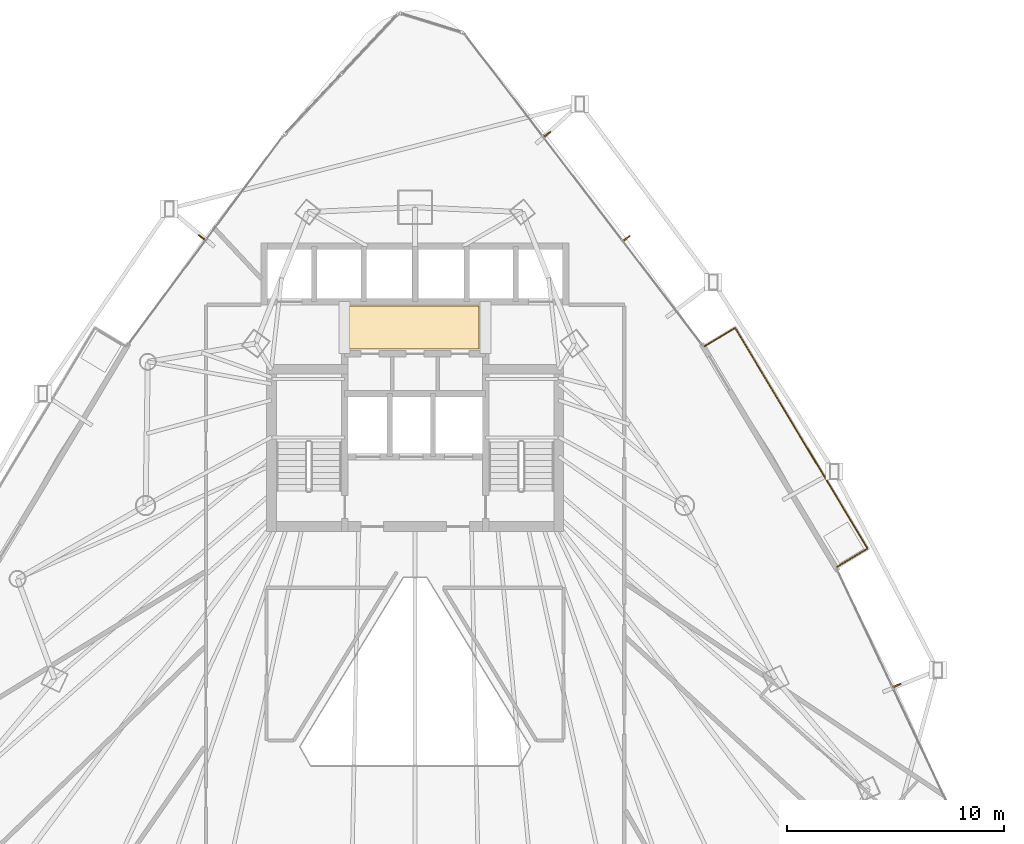
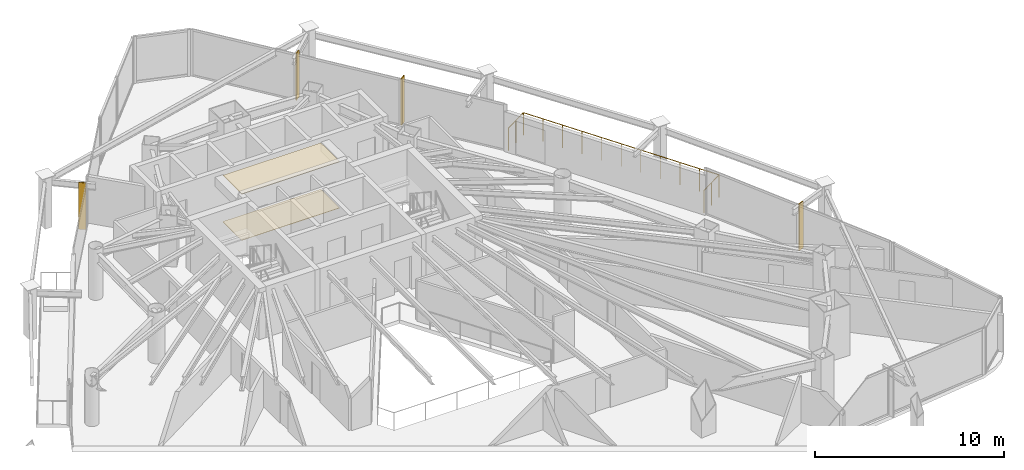
# One storey, part 33 of 33: 4 shading devices, 2 coverings, 1 railing.
"""IFC4 building model written with IfcOpenShell, lengths in metres."""

from ifc_helpers import new_model, si_unit, direction, frame, origin, origin_2d, place, context, subcontext, project, spatial, polyline, rectangle, circle, outline, extrude, material, layer, layer_set, type_object, element, save


model = new_model("IFC4")

# Units and contexts
model_context = context("Model", 3, precision=1e-05, world=origin(), true_north=direction((0.0, 1.0)))
body_context = subcontext(model_context, "Body", "Model", "MODEL_VIEW")
ifc_project = project(units=[si_unit("LENGTHUNIT", "METRE"), si_unit("AREAUNIT", "SQUARE_METRE"), si_unit("VOLUMEUNIT", "CUBIC_METRE"), si_unit("PLANEANGLEUNIT", "RADIAN"), si_unit("MASSUNIT", "GRAM", prefix="KILO")], contexts=[model_context])

# Site, building, storey
site_placement = place(None, origin())
site = spatial("IfcSite", under=ifc_project, at=site_placement, CompositionType="ELEMENT")
building_placement = place(site_placement, origin())
building = spatial("IfcBuilding", under=site, at=building_placement, Name="Orvanel Arch Residences", CompositionType="ELEMENT")
storey_placement = place(building_placement, frame((0.0, 0.0, 93.949951171875)))
storey = spatial("IfcBuildingStorey", under=building, at=storey_placement, Name="L26", CompositionType="ELEMENT", Elevation=93.949951171875)

# Coverings
ifc_material_1 = material(Name="Perforated acoustic mineral-fibre ceiling tile", Category="gypsum")
ifc_layer_1 = layer(ifc_material_1, 0.034912109375)
ifc_layer_set_1 = layer_set([ifc_layer_1], Name="Perforated acoustic mineral-fibre ceiling tile")
covering_type_1 = type_object("IfcCoveringType", Name="COV-CLG-ACS35", PredefinedType="CEILING", material=ifc_layer_set_1)
covering_1_placement = place(storey_placement, frame((0.0, 0.0, 2.985107421875)))
element("IfcCovering", 1, at=covering_1_placement, inside=storey, type_object=covering_type_1, Name="L26 Lift Lobby Acoustic Ceiling", PredefinedType="CEILING", context=body_context, shape_type="SweptSolid", body=[
    extrude(outline(polyline([(29.949951171875, 34.85009765625), (35.949951171875, 34.85009765625), (35.949951171875, 36.85009765625), (29.949951171875, 36.85009765625), (29.949951171875, 34.85009765625)])), origin(), (0.0, 0.0, 1.0), 0.034912109375),
])
ifc_material_2 = material(Name="Honed cementitious terrazzo floor finish", Category="concrete")
ifc_layer_2 = layer(ifc_material_2, 0.02490234375)
ifc_layer_set_2 = layer_set([ifc_layer_2], Name="Honed cementitious terrazzo floor finish")
covering_type_2 = type_object("IfcCoveringType", Name="COV-FLR-TRZ25", PredefinedType="FLOORING", material=ifc_layer_set_2)
covering_2_placement = place(storey_placement, origin())
element("IfcCovering", 2, at=covering_2_placement, inside=storey, type_object=covering_type_2, Name="L26 Lift Lobby Terrazzo Flooring", PredefinedType="FLOORING", context=body_context, shape_type="SweptSolid", body=[
    extrude(outline(polyline([(29.949951171875, 34.85009765625), (35.949951171875, 34.85009765625), (35.949951171875, 36.85009765625), (29.949951171875, 36.85009765625), (29.949951171875, 34.85009765625)])), origin(), (0.0, 0.0, 1.0), 0.025146484375),
])

# Shading devices
ifc_material_3 = material(Name="Bronze-anodised aluminium AA6063-T6", Category="aluminium")
ifc_layer_3 = layer(ifc_material_3, 0.06005859375)
ifc_layer_set_3 = layer_set([ifc_layer_3], Name="Bronze-anodised aluminium AA6063-T6")
shading_device_type = type_object("IfcShadingDeviceType", Name="FIN-BRZ-380", PredefinedType="USERDEFINED", material=ifc_layer_set_3)
for number, where, z_axis, x_axis, name in (
    (3, (23.1630859375, 40.0029296875, 0.0), (0.0, 0.0, 1.0), (-0.802817475191, 0.596224874966, 0.0), "L26 Anodised Bronze Mullion FIN 01"),
    (4, (55.23095703125, 19.342041015625, 0.0), (0.0, 0.0, 1.0), (0.904082549661, 0.427357863387, 0.0), "L26 Anodised Bronze Mullion FIN 01"),
    (5, (42.760009765625, 39.968017578125, 0.0), (0.0, 0.0, 1.0), (0.794414620535, 0.607375839723, 0.0), "L26 Anodised Bronze Mullion FIN 01"),
    (6, (39.093017578125, 44.764892578125, 0.0), (0.0, 0.0, 1.0), (0.794414620535, 0.607375839723, 0.0), "L26 Anodised Bronze Mullion FIN 02"),
):
    element("IfcShadingDevice", number, at=place(storey_placement, frame(where, z_axis=z_axis, x_axis=x_axis)), inside=storey, type_object=shading_device_type, Name=name, ObjectType="FIN", PredefinedType="USERDEFINED", context=body_context, shape_type="SweptSolid", body=[
        extrude(rectangle(XDim=0.3798828125, YDim=0.06005859375, at=origin_2d()), origin(), (0.0, 0.0, 1.0), 3.02001953125),
    ])

# Railing
railing_type = type_object("IfcRailingType", Name="RL-BAL-1480", PredefinedType="BALUSTRADE", material=ifc_material_3)
railing_placement = place(storey_placement, frame((52.462890625, 24.81103515625, 0.0)))
element("IfcRailing", 7, at=railing_placement, inside=storey, type_object=railing_type, Name="L26 Balcony Perimeter Guardrail Face 3", PredefinedType="BALUSTRADE", context=body_context, shape_type="SweptSolid", body=[
    extrude(circle(Radius=0.02392578125, at=origin_2d()), frame((0.001220703125, 0.000732421875, 1.4560546875), z_axis=(0.857584807373, 0.514342588322, 0.0), x_axis=(-0.514342588322, 0.857584807373, 0.0)), (0.0, 0.0, 1.0), 1.637939453125),
    extrude(circle(Radius=0.02392578125, at=origin_2d()), frame((1.406494140625, 0.84521484375, 1.4560546875), z_axis=(-0.51443221159, 0.857531048813, 0.0), x_axis=(-0.857531048813, -0.51443221159, 0.0)), (0.0, 0.0, 1.0), 11.862548828125),
    extrude(circle(Radius=0.02392578125, at=origin_2d()), frame((-4.697998046875, 11.018310546875, 1.4560546875), z_axis=(-0.857387817543, -0.514670895164, 0.0), x_axis=(0.514670895164, -0.857387817543, 0.0)), (0.0, 0.0, 1.0), 1.636962890625),
    extrude(circle(Radius=0.02099609375, at=origin_2d()), origin(), (0.0, 0.0, 1.0), 1.429931640625),
    extrude(circle(Radius=0.02099609375, at=origin_2d()), frame((0.70361328125, 0.421875, 0.0)), (0.0, 0.0, 1.0), 1.429931640625),
    extrude(circle(Radius=0.02099609375, at=origin_2d()), frame((1.4072265625, 0.843994140625, 0.0)), (0.0, 0.0, 1.0), 1.429931640625),
    extrude(circle(Radius=0.02099609375, at=origin_2d()), frame((0.796875, 1.861572265625, 0.0)), (0.0, 0.0, 1.0), 1.429931640625),
    extrude(circle(Radius=0.02099609375, at=origin_2d()), frame((0.1865234375, 2.87890625, 0.0)), (0.0, 0.0, 1.0), 1.429931640625),
    extrude(circle(Radius=0.02099609375, at=origin_2d()), frame((-0.424072265625, 3.896484375, 0.0)), (0.0, 0.0, 1.0), 1.429931640625),
    extrude(circle(Radius=0.02099609375, at=origin_2d()), frame((-1.034423828125, 4.9140625, 0.0)), (0.0, 0.0, 1.0), 1.429931640625),
    extrude(circle(Radius=0.02099609375, at=origin_2d()), frame((-1.644775390625, 5.931640625, 0.0)), (0.0, 0.0, 1.0), 1.429931640625),
    extrude(circle(Radius=0.02099609375, at=origin_2d()), frame((-2.255126953125, 6.948974609375, 0.0)), (0.0, 0.0, 1.0), 1.429931640625),
    extrude(circle(Radius=0.02099609375, at=origin_2d()), frame((-2.865478515625, 7.966552734375, 0.0)), (0.0, 0.0, 1.0), 1.429931640625),
    extrude(circle(Radius=0.02099609375, at=origin_2d()), frame((-3.47607421875, 8.984130859375, 0.0)), (0.0, 0.0, 1.0), 1.429931640625),
    extrude(circle(Radius=0.02099609375, at=origin_2d()), frame((-4.08642578125, 10.00146484375, 0.0)), (0.0, 0.0, 1.0), 1.429931640625),
    extrude(circle(Radius=0.02099609375, at=origin_2d()), frame((-4.69677734375, 11.01904296875, 0.0)), (0.0, 0.0, 1.0), 1.429931640625),
    extrude(circle(Radius=0.02099609375, at=origin_2d()), frame((-5.39990234375, 10.59716796875, 0.0)), (0.0, 0.0, 1.0), 1.429931640625),
    extrude(circle(Radius=0.02099609375, at=origin_2d()), frame((-6.102783203125, 10.175048828125, 0.0)), (0.0, 0.0, 1.0), 1.429931640625),
])

save(model, "model.ifc")
